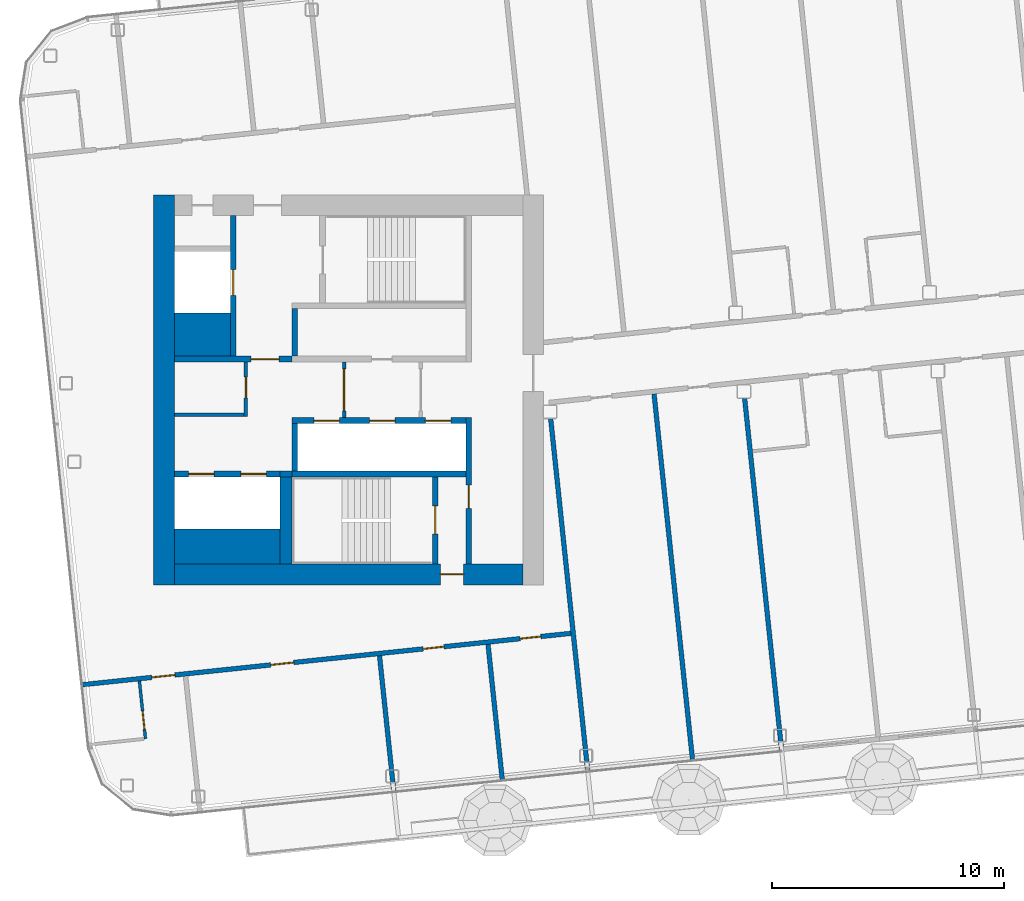
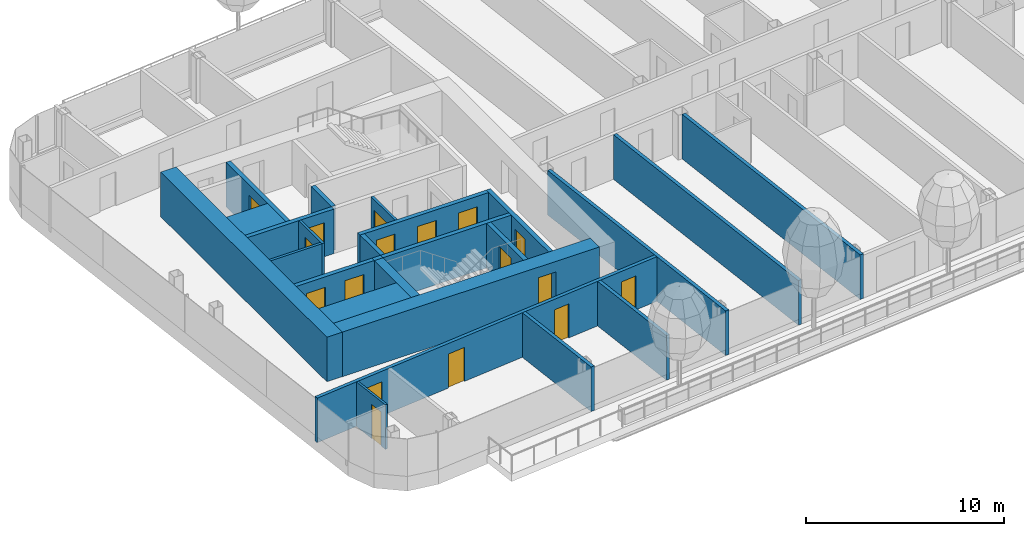
# One storey, part 12 of 29: 25 walls, 17 doors, 17 openings.
"""IFC4 building model written with IfcOpenShell, lengths in metres."""

from ifc_helpers import new_model, si_unit, direction, frame, frame_2d, origin, place, context, subcontext, project, spatial, rectangle, extrude, material, layer, layer_set, type_object, element, fill, save


model = new_model("IFC4")

# Units and contexts
model_context = context("Model", 3, precision=1e-05, world=origin(), true_north=direction((0.0, 1.0)))
body_context = subcontext(model_context, "Body", "Model", "MODEL_VIEW")
ifc_project = project(units=[si_unit("LENGTHUNIT", "METRE"), si_unit("AREAUNIT", "SQUARE_METRE"), si_unit("VOLUMEUNIT", "CUBIC_METRE"), si_unit("PLANEANGLEUNIT", "RADIAN"), si_unit("MASSUNIT", "GRAM", prefix="KILO")], contexts=[model_context])

# Site, building, storey
site_placement = place(None, origin())
site = spatial("IfcSite", under=ifc_project, at=site_placement, CompositionType="ELEMENT")
building_placement = place(site_placement, origin())
building = spatial("IfcBuilding", under=site, at=building_placement, Name="Hakoniwa Tower and Hamabe Station Hall", CompositionType="ELEMENT")
storey_placement = place(building_placement, frame((0.0, 0.0, 258.199951171875)))
storey = spatial("IfcBuildingStorey", under=building, at=storey_placement, Name="L73", CompositionType="ELEMENT", Elevation=258.199951171875)

# Wall, opening, door
ifc_material_1 = material(Name="Gypsum board partition", Category="gypsum")
ifc_layer_1 = layer(ifc_material_1, 0.125)
ifc_layer_set_1 = layer_set([ifc_layer_1], Name="Bathroom Partition 125")
wall_type_1 = type_object("IfcWallType", Name="Bathroom Partition 125", PredefinedType="PARTITIONING", material=ifc_layer_set_1)
wall_1_placement = place(storey_placement, frame((-33.95361328125, -15.029296875, 0.0), z_axis=(0.0, 0.0, 1.0), x_axis=(-0.104588199498, 0.994515615024, 0.0)))
wall_1 = element("IfcWall", 1, at=wall_1_placement, inside=storey, type_object=wall_type_1, Name="GW-L73-017", PredefinedType="PARTITIONING", context=body_context, shape_type="SweptSolid", body=[
    extrude(rectangle(XDim=2.5, YDim=0.125, at=frame_2d((1.25, 0.0))), origin(), (0.0, 0.0, 1.0), 2.75),
])
opening_1_placement = place(wall_1_placement, frame((0.39990234375, 0.0, 0.0)))
opening_1 = element("IfcOpeningElement", 2, at=opening_1_placement, cuts=wall_1, Name="Opening GD-G5C1-29", PredefinedType="OPENING", context=body_context, shape_type="SweptSolid", body=[
    extrude(rectangle(XDim=0.800048828125, YDim=2.10009765625, at=frame_2d((0.39990234375, 1.050048828125))), frame((0.0, 0.072509765625, 0.0), z_axis=(0.0, -1.0, 0.0), x_axis=(1.0, 0.0, 0.0)), (0.0, 0.0, 1.0), 0.14501953125),
])
ifc_material_2 = material(Name="Timber door leaf", Category="wood")
door_type_1 = type_object("IfcDoorType", Name="Bathroom Door 800", OperationType="SINGLE_SWING_LEFT", PredefinedType="DOOR", material=ifc_material_2)
door_1_placement = place(opening_1_placement, origin())
door_1 = element("IfcDoor", 3, at=door_1_placement, inside=storey, type_object=door_type_1, Name="Door GD-G5C1-29", OperationType="SINGLE_SWING_RIGHT", OverallHeight=2.10009765625, OverallWidth=0.800048828125, PredefinedType="DOOR", context=body_context, shape_type="SweptSolid", body=[
    extrude(rectangle(XDim=0.800048828125, YDim=2.10009765625, at=frame_2d((0.39990234375, 1.050048828125))), frame((0.0, 0.02490234375, 0.0), z_axis=(0.0, -1.0, 0.0), x_axis=(1.0, 0.0, 0.0)), (0.0, 0.0, 1.0), 0.050048828125),
])
fill(opening_1, door_1)

ifc_material_3 = material(Name="Gypsum board partition")
ifc_layer_2 = layer(ifc_material_3, 0.14990234375)
ifc_layer_set_2 = layer_set([ifc_layer_2], Name="CORE PARTITION 150 EI 60")
wall_type_2 = type_object("IfcWallType", Name="CORE PARTITION 150 EI 60", PredefinedType="PARTITIONING", material=ifc_layer_set_2)
wall_2_placement = place(storey_placement, frame((-25.39990234375, -1.199951171875, 0.0), z_axis=(0.0, 0.0, 1.0), x_axis=(0.0, 1.0, 0.0)))
wall_2 = element("IfcWall", 4, at=wall_2_placement, inside=storey, type_object=wall_type_2, Name="Core partition PL1 west", PredefinedType="PARTITIONING", context=body_context, shape_type="SweptSolid", body=[
    extrude(rectangle(XDim=2.39990234375, YDim=0.14990234375, at=frame_2d((1.199951171875, 0.0))), origin(), (0.0, 0.0, 1.0), 2.75),
])
opening_2_placement = place(wall_2_placement, frame((0.300048828125, 0.0, 0.0)))
opening_2 = element("IfcOpeningElement", 5, at=opening_2_placement, cuts=wall_2, Name="Opening CD-W-LP1-18", PredefinedType="OPENING", context=body_context, shape_type="SweptSolid", body=[
    extrude(rectangle(XDim=1.800048828125, YDim=2.10009765625, at=frame_2d((0.89990234375, 1.050048828125))), frame((0.0, 0.0849609375, 0.0), z_axis=(0.0, -1.0, 0.0), x_axis=(1.0, 0.0, 0.0)), (0.0, 0.0, 1.0), 0.169921875),
])
ifc_material_4 = material(Name="Steel fire door", Category="steel")
door_type_2 = type_object("IfcDoorType", Name="CORE DOOR 1800 FD60", OperationType="DOUBLE_DOOR_SINGLE_SWING", PredefinedType="DOOR", material=ifc_material_4)
door_2_placement = place(opening_2_placement, origin())
door_2 = element("IfcDoor", 6, at=door_2_placement, inside=storey, type_object=door_type_2, Name="Lift lobby partition door", OperationType="DOUBLE_DOOR_SINGLE_SWING", OverallHeight=2.10009765625, OverallWidth=1.800048828125, PredefinedType="DOOR", context=body_context, shape_type="SweptSolid", body=[
    extrude(rectangle(XDim=1.800048828125, YDim=2.10009765625, at=frame_2d((0.89990234375, 1.050048828125))), frame((0.0, 0.02490234375, 0.0), z_axis=(0.0, -1.0, 0.0), x_axis=(1.0, 0.0, 0.0)), (0.0, 0.0, 1.0), 0.050048828125),
])
fill(opening_2, door_2)

wall_3_placement = place(storey_placement, frame((-29.625, -1.14990234375, 0.0), z_axis=(0.0, 0.0, 1.0), x_axis=(0.0, 1.0, 0.0)))
wall_3 = element("IfcWall", 7, at=wall_3_placement, inside=storey, type_object=wall_type_2, Name="Core partition PW0 west", PredefinedType="PARTITIONING", context=body_context, shape_type="SweptSolid", body=[
    extrude(rectangle(XDim=2.349853515625, YDim=0.14990234375, at=frame_2d((1.1748046875, 0.0))), origin(), (0.0, 0.0, 1.0), 2.75),
])
opening_3_placement = place(wall_3_placement, frame((0.800048828125, 0.0, 0.0)))
opening_3 = element("IfcOpeningElement", 8, at=opening_3_placement, cuts=wall_3, Name="Opening CD-W-RM1-9", PredefinedType="OPENING", context=body_context, shape_type="SweptSolid", body=[
    extrude(rectangle(XDim=0.89990234375, YDim=2.10009765625, at=frame_2d((0.449951171875, 1.050048828125))), frame((0.0, 0.0849609375, 0.0), z_axis=(0.0, -1.0, 0.0), x_axis=(1.0, 0.0, 0.0)), (0.0, 0.0, 1.0), 0.169921875),
])
ifc_material_5 = material(Name="Steel fire door", Category="steel")
door_type_3 = type_object("IfcDoorType", Name="CORE DOOR 900 FD30", OperationType="NOTDEFINED", PredefinedType="DOOR", material=ifc_material_5)
door_3_placement = place(opening_3_placement, origin())
door_3 = element("IfcDoor", 9, at=door_3_placement, inside=storey, type_object=door_type_3, Name="Store room door", OperationType="SINGLE_SWING_LEFT", OverallHeight=2.10009765625, OverallWidth=0.89990234375, PredefinedType="DOOR", context=body_context, shape_type="SweptSolid", body=[
    extrude(rectangle(XDim=0.89990234375, YDim=2.10009765625, at=frame_2d((0.449951171875, 1.050048828125))), frame((0.0, 0.02490234375, 0.0), z_axis=(0.0, -1.0, 0.0), x_axis=(1.0, 0.0, 0.0)), (0.0, 0.0, 1.0), 0.050048828125),
])
fill(opening_3, door_3)

# Walls
wall_4_placement = place(storey_placement, frame((-32.699951171875, -1.074951171875, 0.0), z_axis=(0.0, 0.0, 1.0), x_axis=(1.0, 0.0, 0.0)))
element("IfcWall", 10, at=wall_4_placement, inside=storey, type_object=wall_type_2, Name="Core partition PS west", PredefinedType="PARTITIONING", context=body_context, shape_type="SweptSolid", body=[
    extrude(rectangle(XDim=3.0, YDim=0.14990234375, at=frame_2d((1.5, 0.0))), origin(), (0.0, 0.0, 1.0), 2.75),
])
ifc_material_6 = material(Name="Concrete C60", Category="concrete")
ifc_layer_3 = layer(ifc_material_6, 0.89990234375)
ifc_layer_set_3 = layer_set([ifc_layer_3], Name="CORE WALL 900 C60")
wall_type_3 = type_object("IfcWallType", Name="CORE WALL 900 C60", PredefinedType="SHEAR", material=ifc_layer_set_3)
wall_5_placement = place(storey_placement, frame((-33.14990234375, -8.39990234375, 0.0), z_axis=(0.0, 0.0, 1.0), x_axis=(0.0, 1.0, 0.0)))
element("IfcWall", 11, at=wall_5_placement, inside=storey, type_object=wall_type_3, Name="Core wall OUTER west", PredefinedType="SHEAR", context=body_context, shape_type="SweptSolid", body=[
    extrude(rectangle(XDim=16.7998046875, YDim=0.89990234375, at=frame_2d((8.39990234375, 0.0))), origin(), (0.0, 0.0, 1.0), 2.75),
])

# Wall, opening, door
wall_6_placement = place(storey_placement, frame((-32.699951171875, -7.949951171875, 0.0), z_axis=(0.0, 0.0, 1.0), x_axis=(1.0, 0.0, 0.0)))
wall_6 = element("IfcWall", 12, at=wall_6_placement, inside=storey, type_object=wall_type_3, Name="Core wall SOUTH west", PredefinedType="SHEAR", context=body_context, shape_type="SweptSolid", body=[
    extrude(rectangle(XDim=15.0, YDim=0.89990234375, at=frame_2d((7.5, 0.0))), origin(), (0.0, 0.0, 1.0), 2.75),
])
opening_4_placement = place(wall_6_placement, frame((11.449951171875, 0.0, 0.0)))
opening_4 = element("IfcOpeningElement", 13, at=opening_4_placement, cuts=wall_6, Name="Opening CD-W-FS3-10", PredefinedType="OPENING", context=body_context, shape_type="SweptSolid", body=[
    extrude(rectangle(XDim=1.0, YDim=2.10009765625, at=frame_2d((0.5, 1.050048828125))), frame((0.0, 0.4599609375, 0.0), z_axis=(0.0, -1.0, 0.0), x_axis=(1.0, 0.0, 0.0)), (0.0, 0.0, 1.0), 0.919921875),
])
ifc_material_7 = material(Name="Steel fire door", Category="steel")
door_type_4 = type_object("IfcDoorType", Name="CORE DOOR 1000 FD60", OperationType="NOTDEFINED", PredefinedType="DOOR", material=ifc_material_7)
door_4_placement = place(opening_4_placement, origin())
door_4 = element("IfcDoor", 14, at=door_4_placement, inside=storey, type_object=door_type_4, Name="Stair vestibule door", OperationType="SINGLE_SWING_LEFT", OverallHeight=2.10009765625, OverallWidth=1.0, PredefinedType="DOOR", context=body_context, shape_type="SweptSolid", body=[
    extrude(rectangle(XDim=1.0, YDim=2.10009765625, at=frame_2d((0.5, 1.050048828125))), frame((0.0, 0.02490234375, 0.0), z_axis=(0.0, -1.0, 0.0), x_axis=(1.0, 0.0, 0.0)), (0.0, 0.0, 1.0), 0.050048828125),
])
fill(opening_4, door_4)

# Walls
ifc_material_8 = material(Name="Concrete C60", Category="concrete")
ifc_layer_4 = layer(ifc_material_8, 1.5)
ifc_layer_set_4 = layer_set([ifc_layer_4], Name="CORE WEB WALL 1500 C60")
wall_type_4 = type_object("IfcWallType", Name="CORE WEB WALL 1500 C60", PredefinedType="SHEAR", material=ifc_layer_set_4)
wall_7_placement = place(storey_placement, frame((-32.699951171875, -6.75, 0.0), z_axis=(0.0, 0.0, 1.0), x_axis=(1.0, 0.0, 0.0)))
element("IfcWall", 15, at=wall_7_placement, inside=storey, type_object=wall_type_4, Name="Core wall SER west", PredefinedType="SHEAR", context=body_context, shape_type="SweptSolid", body=[
    extrude(rectangle(XDim=4.550048828125, YDim=1.5, at=frame_2d((2.27490234375, 0.0))), origin(), (0.0, 0.0, 1.0), 2.75),
])
ifc_material_9 = material(Name="Concrete C60", Category="concrete")
ifc_layer_5 = layer(ifc_material_9, 1.85009765625)
ifc_layer_set_5 = layer_set([ifc_layer_5], Name="CORE WEB WALL 1850 C60")
wall_type_5 = type_object("IfcWallType", Name="CORE WEB WALL 1850 C60", PredefinedType="SHEAR", material=ifc_layer_set_5)
wall_8_placement = place(storey_placement, frame((-32.699951171875, 2.375, 0.0), z_axis=(0.0, 0.0, 1.0), x_axis=(1.0, 0.0, 0.0)))
element("IfcWall", 16, at=wall_8_placement, inside=storey, type_object=wall_type_5, Name="Core wall CA west", PredefinedType="SHEAR", context=body_context, shape_type="SweptSolid", body=[
    extrude(rectangle(XDim=2.39990234375, YDim=1.85009765625, at=frame_2d((1.199951171875, 0.0))), origin(), (0.0, 0.0, 1.0), 2.75),
])

# Wall, opening, door
ifc_material_10 = material(Name="Concrete C60", Category="concrete")
ifc_layer_6 = layer(ifc_material_10, 0.25)
ifc_layer_set_6 = layer_set([ifc_layer_6], Name="CORE WEB WALL 250 C60")
wall_type_6 = type_object("IfcWallType", Name="CORE WEB WALL 250 C60", PredefinedType="SHEAR", material=ifc_layer_set_6)
wall_9_placement = place(storey_placement, frame((-20.02490234375, -7.5, 0.0), z_axis=(0.0, 0.0, 1.0), x_axis=(0.0, 1.0, 0.0)))
wall_9 = element("IfcWall", 17, at=wall_9_placement, inside=storey, type_object=wall_type_6, Name="Core wall W1S west", PredefinedType="SHEAR", context=body_context, shape_type="SweptSolid", body=[
    extrude(rectangle(XDim=6.300048828125, YDim=0.25, at=frame_2d((3.14990234375, 0.0))), origin(), (0.0, 0.0, 1.0), 2.75),
])
opening_5_placement = place(wall_9_placement, frame((2.39990234375, 0.0, 0.0)))
opening_5 = element("IfcOpeningElement", 18, at=opening_5_placement, cuts=wall_9, Name="Opening CD-W-VS-10", PredefinedType="OPENING", context=body_context, shape_type="SweptSolid", body=[
    extrude(rectangle(XDim=1.0, YDim=2.10009765625, at=frame_2d((0.5, 1.050048828125))), frame((0.0, 0.135009765625, 0.0), z_axis=(0.0, -1.0, 0.0), x_axis=(1.0, 0.0, 0.0)), (0.0, 0.0, 1.0), 0.27001953125),
])
door_5_placement = place(opening_5_placement, origin())
door_5 = element("IfcDoor", 19, at=door_5_placement, inside=storey, type_object=door_type_4, Name="Stair vestibule door", OperationType="SINGLE_SWING_LEFT", OverallHeight=2.10009765625, OverallWidth=1.0, PredefinedType="DOOR", context=body_context, shape_type="SweptSolid", body=[
    extrude(rectangle(XDim=1.0, YDim=2.10009765625, at=frame_2d((0.5, 1.050048828125))), frame((0.0, 0.02490234375, 0.0), z_axis=(0.0, -1.0, 0.0), x_axis=(1.0, 0.0, 0.0)), (0.0, 0.0, 1.0), 0.050048828125),
])
fill(opening_5, door_5)

# Wall
wall_10_placement = place(storey_placement, frame((-27.52490234375, 1.449951171875, 0.0), z_axis=(0.0, 0.0, 1.0), x_axis=(0.0, 1.0, 0.0)))
element("IfcWall", 20, at=wall_10_placement, inside=storey, type_object=wall_type_6, Name="Core wall NE west", PredefinedType="SHEAR", context=body_context, shape_type="SweptSolid", body=[
    extrude(rectangle(XDim=2.050048828125, YDim=0.25, at=frame_2d((1.02490234375, 0.0))), origin(), (0.0, 0.0, 1.0), 2.75),
])

# Wall, opening, door
wall_11_placement = place(storey_placement, frame((-32.699951171875, 1.324951171875, 0.0), z_axis=(0.0, 0.0, 1.0), x_axis=(1.0, 0.0, 0.0)))
wall_11 = element("IfcWall", 21, at=wall_11_placement, inside=storey, type_object=wall_type_6, Name="Core wall ELN west", PredefinedType="SHEAR", context=body_context, shape_type="SweptSolid", body=[
    extrude(rectangle(XDim=5.050048828125, YDim=0.25, at=frame_2d((2.52490234375, 0.0))), origin(), (0.0, 0.0, 1.0), 2.75),
])
opening_6_placement = place(wall_11_placement, frame((3.300048828125, 0.0, 0.0)))
opening_6 = element("IfcOpeningElement", 22, at=opening_6_placement, cuts=wall_11, Name="Opening CD-W-FL-12", PredefinedType="OPENING", context=body_context, shape_type="SweptSolid", body=[
    extrude(rectangle(XDim=1.199951171875, YDim=2.10009765625, at=frame_2d((0.60009765625, 1.050048828125))), frame((0.0, 0.135009765625, 0.0), z_axis=(0.0, -1.0, 0.0), x_axis=(1.0, 0.0, 0.0)), (0.0, 0.0, 1.0), 0.27001953125),
])
ifc_material_11 = material(Name="Steel fire door", Category="steel")
door_type_5 = type_object("IfcDoorType", Name="CORE DOOR 1200 FD60", OperationType="DOUBLE_DOOR_SINGLE_SWING", PredefinedType="DOOR", material=ifc_material_11)
door_6_placement = place(opening_6_placement, origin())
door_6 = element("IfcDoor", 23, at=door_6_placement, inside=storey, type_object=door_type_5, Name="Stair vestibule door to the fire-fighting lobby", OperationType="DOUBLE_DOOR_SINGLE_SWING", OverallHeight=2.10009765625, OverallWidth=1.199951171875, PredefinedType="DOOR", context=body_context, shape_type="SweptSolid", body=[
    extrude(rectangle(XDim=1.199951171875, YDim=2.10009765625, at=frame_2d((0.60009765625, 1.050048828125))), frame((0.0, 0.02490234375, 0.0), z_axis=(0.0, -1.0, 0.0), x_axis=(1.0, 0.0, 0.0)), (0.0, 0.0, 1.0), 0.050048828125),
])
fill(opening_6, door_6)

wall_12_placement = place(storey_placement, frame((-30.175048828125, 1.449951171875, 0.0), z_axis=(0.0, 0.0, 1.0), x_axis=(0.0, 1.0, 0.0)))
wall_12 = element("IfcWall", 24, at=wall_12_placement, inside=storey, type_object=wall_type_6, Name="Core wall FFF west", PredefinedType="SHEAR", context=body_context, shape_type="SweptSolid", body=[
    extrude(rectangle(XDim=6.050048828125, YDim=0.25, at=frame_2d((3.02490234375, 0.0))), origin(), (0.0, 0.0, 1.0), 2.75),
])
opening_7_placement = place(wall_12_placement, frame((2.625, 0.0, 0.0)))
opening_7 = element("IfcOpeningElement", 25, at=opening_7_placement, cuts=wall_12, Name="Opening LD-FF1", PredefinedType="OPENING", context=body_context, shape_type="SweptSolid", body=[
    extrude(rectangle(XDim=1.10009765625, YDim=2.10009765625, at=frame_2d((0.550048828125, 1.050048828125))), frame((0.0, 0.135009765625, 0.0), z_axis=(0.0, -1.0, 0.0), x_axis=(1.0, 0.0, 0.0)), (0.0, 0.0, 1.0), 0.27001953125),
])
ifc_material_12 = material(Name="Stainless steel SUS304", Category="steel")
door_type_6 = type_object("IfcDoorType", Name="LIFT LANDING DOOR 1100 FD60", OperationType="DOUBLE_DOOR_SLIDING", PredefinedType="DOOR", material=ifc_material_12)
door_7_placement = place(opening_7_placement, origin())
door_7 = element("IfcDoor", 26, at=door_7_placement, inside=storey, type_object=door_type_6, Name="Lift landing door FF1 L73", OperationType="DOUBLE_DOOR_SLIDING", OverallHeight=2.10009765625, OverallWidth=1.10009765625, PredefinedType="DOOR", context=body_context, shape_type="SweptSolid", body=[
    extrude(rectangle(XDim=1.10009765625, YDim=2.10009765625, at=frame_2d((0.550048828125, 1.050048828125))), frame((0.0, 0.02490234375, 0.0), z_axis=(0.0, -1.0, 0.0), x_axis=(1.0, 0.0, 0.0)), (0.0, 0.0, 1.0), 0.050048828125),
])
fill(opening_7, door_7)

# Wall, openings, doors
wall_13_placement = place(storey_placement, frame((-27.64990234375, -1.324951171875, 0.0), z_axis=(0.0, 0.0, 1.0), x_axis=(1.0, 0.0, 0.0)))
wall_13 = element("IfcWall", 27, at=wall_13_placement, inside=storey, type_object=wall_type_6, Name="Core wall SF west", PredefinedType="SHEAR", context=body_context, shape_type="SweptSolid", body=[
    extrude(rectangle(XDim=7.5, YDim=0.25, at=frame_2d((3.75, 0.0))), origin(), (0.0, 0.0, 1.0), 2.75),
])
opening_8_placement = place(wall_13_placement, frame((5.75, 0.0, 0.0)))
opening_8 = element("IfcOpeningElement", 28, at=opening_8_placement, cuts=wall_13, Name="Opening LD-HR1", PredefinedType="OPENING", context=body_context, shape_type="SweptSolid", body=[
    extrude(rectangle(XDim=1.10009765625, YDim=2.10009765625, at=frame_2d((0.550048828125, 1.050048828125))), frame((0.0, 0.135009765625, 0.0), z_axis=(0.0, -1.0, 0.0), x_axis=(1.0, 0.0, 0.0)), (0.0, 0.0, 1.0), 0.27001953125),
])
opening_9_placement = place(wall_13_placement, frame((3.35009765625, 0.0, 0.0)))
opening_9 = element("IfcOpeningElement", 29, at=opening_9_placement, cuts=wall_13, Name="Opening LD-HR2", PredefinedType="OPENING", context=body_context, shape_type="SweptSolid", body=[
    extrude(rectangle(XDim=1.10009765625, YDim=2.10009765625, at=frame_2d((0.550048828125, 1.050048828125))), frame((0.0, 0.135009765625, 0.0), z_axis=(0.0, -1.0, 0.0), x_axis=(1.0, 0.0, 0.0)), (0.0, 0.0, 1.0), 0.27001953125),
])
opening_10_placement = place(wall_13_placement, frame((0.949951171875, 0.0, 0.0)))
opening_10 = element("IfcOpeningElement", 30, at=opening_10_placement, cuts=wall_13, Name="Opening LD-HR3", PredefinedType="OPENING", context=body_context, shape_type="SweptSolid", body=[
    extrude(rectangle(XDim=1.10009765625, YDim=2.10009765625, at=frame_2d((0.550048828125, 1.050048828125))), frame((0.0, 0.135009765625, 0.0), z_axis=(0.0, -1.0, 0.0), x_axis=(1.0, 0.0, 0.0)), (0.0, 0.0, 1.0), 0.27001953125),
])
door_8_placement = place(opening_8_placement, origin())
door_8 = element("IfcDoor", 31, at=door_8_placement, inside=storey, type_object=door_type_6, Name="Lift landing door HR1 L73", OperationType="DOUBLE_DOOR_SLIDING", OverallHeight=2.10009765625, OverallWidth=1.10009765625, PredefinedType="DOOR", context=body_context, shape_type="SweptSolid", body=[
    extrude(rectangle(XDim=1.10009765625, YDim=2.10009765625, at=frame_2d((0.550048828125, 1.050048828125))), frame((0.0, 0.02490234375, 0.0), z_axis=(0.0, -1.0, 0.0), x_axis=(1.0, 0.0, 0.0)), (0.0, 0.0, 1.0), 0.050048828125),
])
fill(opening_8, door_8)
door_9_placement = place(opening_9_placement, origin())
door_9 = element("IfcDoor", 32, at=door_9_placement, inside=storey, type_object=door_type_6, Name="Lift landing door HR2 L73", OperationType="DOUBLE_DOOR_SLIDING", OverallHeight=2.10009765625, OverallWidth=1.10009765625, PredefinedType="DOOR", context=body_context, shape_type="SweptSolid", body=[
    extrude(rectangle(XDim=1.10009765625, YDim=2.10009765625, at=frame_2d((0.550048828125, 1.050048828125))), frame((0.0, 0.02490234375, 0.0), z_axis=(0.0, -1.0, 0.0), x_axis=(1.0, 0.0, 0.0)), (0.0, 0.0, 1.0), 0.050048828125),
])
fill(opening_9, door_9)
door_10_placement = place(opening_10_placement, origin())
door_10 = element("IfcDoor", 33, at=door_10_placement, inside=storey, type_object=door_type_6, Name="Lift landing door HR3 L73", OperationType="DOUBLE_DOOR_SLIDING", OverallHeight=2.10009765625, OverallWidth=1.10009765625, PredefinedType="DOOR", context=body_context, shape_type="SweptSolid", body=[
    extrude(rectangle(XDim=1.10009765625, YDim=2.10009765625, at=frame_2d((0.550048828125, 1.050048828125))), frame((0.0, 0.02490234375, 0.0), z_axis=(0.0, -1.0, 0.0), x_axis=(1.0, 0.0, 0.0)), (0.0, 0.0, 1.0), 0.050048828125),
])
fill(opening_10, door_10)

# Walls
wall_14_placement = place(storey_placement, frame((-27.52490234375, -3.5, 0.0), z_axis=(0.0, 0.0, 1.0), x_axis=(0.0, 1.0, 0.0)))
element("IfcWall", 34, at=wall_14_placement, inside=storey, type_object=wall_type_6, Name="Core wall SE west", PredefinedType="SHEAR", context=body_context, shape_type="SweptSolid", body=[
    extrude(rectangle(XDim=2.050048828125, YDim=0.25, at=frame_2d((1.02490234375, 0.0))), origin(), (0.0, 0.0, 1.0), 2.75),
])
wall_15_placement = place(storey_placement, frame((-27.64990234375, -3.625, 0.0), z_axis=(0.0, 0.0, 1.0), x_axis=(1.0, 0.0, 0.0)))
element("IfcWall", 35, at=wall_15_placement, inside=storey, type_object=wall_type_6, Name="Core wall SR west", PredefinedType="SHEAR", context=body_context, shape_type="SweptSolid", body=[
    extrude(rectangle(XDim=7.5, YDim=0.25, at=frame_2d((3.75, 0.0))), origin(), (0.0, 0.0, 1.0), 2.75),
])

# Wall, opening, door
wall_16_placement = place(storey_placement, frame((-21.47509765625, -7.5, 0.0), z_axis=(0.0, 0.0, 1.0), x_axis=(0.0, 1.0, 0.0)))
wall_16 = element("IfcWall", 36, at=wall_16_placement, inside=storey, type_object=wall_type_6, Name="Core wall VE west", PredefinedType="SHEAR", context=body_context, shape_type="SweptSolid", body=[
    extrude(rectangle(XDim=3.75, YDim=0.25, at=frame_2d((1.875, 0.0))), origin(), (0.0, 0.0, 1.0), 2.75),
])
opening_11_placement = place(wall_16_placement, frame((1.300048828125, 0.0, 0.0)))
opening_11 = element("IfcOpeningElement", 37, at=opening_11_placement, cuts=wall_16, Name="Opening CD-W-SS-12", PredefinedType="OPENING", context=body_context, shape_type="SweptSolid", body=[
    extrude(rectangle(XDim=1.199951171875, YDim=2.10009765625, at=frame_2d((0.60009765625, 1.050048828125))), frame((0.0, 0.135009765625, 0.0), z_axis=(0.0, -1.0, 0.0), x_axis=(1.0, 0.0, 0.0)), (0.0, 0.0, 1.0), 0.27001953125),
])
door_11_placement = place(opening_11_placement, origin())
door_11 = element("IfcDoor", 38, at=door_11_placement, inside=storey, type_object=door_type_5, Name="Escape stair door", OperationType="DOUBLE_DOOR_SINGLE_SWING", OverallHeight=2.10009765625, OverallWidth=1.199951171875, PredefinedType="DOOR", context=body_context, shape_type="SweptSolid", body=[
    extrude(rectangle(XDim=1.199951171875, YDim=2.10009765625, at=frame_2d((0.60009765625, 1.050048828125))), frame((0.0, 0.02490234375, 0.0), z_axis=(0.0, -1.0, 0.0), x_axis=(1.0, 0.0, 0.0)), (0.0, 0.0, 1.0), 0.050048828125),
])
fill(opening_11, door_11)

# Wall, openings, doors
wall_17_placement = place(storey_placement, frame((-32.699951171875, -3.625, 0.0), z_axis=(0.0, 0.0, 1.0), x_axis=(1.0, 0.0, 0.0)))
wall_17 = element("IfcWall", 39, at=wall_17_placement, inside=storey, type_object=wall_type_6, Name="Core wall SEF west", PredefinedType="SHEAR", context=body_context, shape_type="SweptSolid", body=[
    extrude(rectangle(XDim=4.550048828125, YDim=0.25, at=frame_2d((2.27490234375, 0.0))), origin(), (0.0, 0.0, 1.0), 2.75),
])
opening_12_placement = place(wall_17_placement, frame((2.85009765625, 0.0, 0.0)))
opening_12 = element("IfcOpeningElement", 40, at=opening_12_placement, cuts=wall_17, Name="Opening LD-SV1", PredefinedType="OPENING", context=body_context, shape_type="SweptSolid", body=[
    extrude(rectangle(XDim=1.10009765625, YDim=2.10009765625, at=frame_2d((0.550048828125, 1.050048828125))), frame((0.0, 0.135009765625, 0.0), z_axis=(0.0, -1.0, 0.0), x_axis=(1.0, 0.0, 0.0)), (0.0, 0.0, 1.0), 0.27001953125),
])
opening_13_placement = place(wall_17_placement, frame((0.60009765625, 0.0, 0.0)))
opening_13 = element("IfcOpeningElement", 41, at=opening_13_placement, cuts=wall_17, Name="Opening LD-SV2", PredefinedType="OPENING", context=body_context, shape_type="SweptSolid", body=[
    extrude(rectangle(XDim=1.10009765625, YDim=2.10009765625, at=frame_2d((0.550048828125, 1.050048828125))), frame((0.0, 0.135009765625, 0.0), z_axis=(0.0, -1.0, 0.0), x_axis=(1.0, 0.0, 0.0)), (0.0, 0.0, 1.0), 0.27001953125),
])
door_12_placement = place(opening_12_placement, origin())
door_12 = element("IfcDoor", 42, at=door_12_placement, inside=storey, type_object=door_type_6, Name="Lift landing door SV1 L73", OperationType="DOUBLE_DOOR_SLIDING", OverallHeight=2.10009765625, OverallWidth=1.10009765625, PredefinedType="DOOR", context=body_context, shape_type="SweptSolid", body=[
    extrude(rectangle(XDim=1.10009765625, YDim=2.10009765625, at=frame_2d((0.550048828125, 1.050048828125))), frame((0.0, 0.02490234375, 0.0), z_axis=(0.0, -1.0, 0.0), x_axis=(1.0, 0.0, 0.0)), (0.0, 0.0, 1.0), 0.050048828125),
])
fill(opening_12, door_12)
door_13_placement = place(opening_13_placement, origin())
door_13 = element("IfcDoor", 43, at=door_13_placement, inside=storey, type_object=door_type_6, Name="Lift landing door SV2 L73", OperationType="DOUBLE_DOOR_SLIDING", OverallHeight=2.10009765625, OverallWidth=1.10009765625, PredefinedType="DOOR", context=body_context, shape_type="SweptSolid", body=[
    extrude(rectangle(XDim=1.10009765625, YDim=2.10009765625, at=frame_2d((0.550048828125, 1.050048828125))), frame((0.0, 0.02490234375, 0.0), z_axis=(0.0, -1.0, 0.0), x_axis=(1.0, 0.0, 0.0)), (0.0, 0.0, 1.0), 0.050048828125),
])
fill(opening_13, door_13)

# Walls
wall_18_placement = place(storey_placement, frame((-28.14990234375, -3.625, 0.0), z_axis=(0.0, 0.0, 1.0), x_axis=(1.0, 0.0, 0.0)))
element("IfcWall", 44, at=wall_18_placement, inside=storey, type_object=wall_type_6, Name="Core wall SRK west", PredefinedType="SHEAR", context=body_context, shape_type="SweptSolid", body=[
    extrude(rectangle(XDim=0.5, YDim=0.25, at=frame_2d((0.25, 0.0))), origin(), (0.0, 0.0, 1.0), 2.75),
])
ifc_material_13 = material(Name="Concrete C60", Category="concrete")
ifc_layer_7 = layer(ifc_material_13, 0.5)
ifc_layer_set_7 = layer_set([ifc_layer_7], Name="CORE WEB WALL 500 C60")
wall_type_7 = type_object("IfcWallType", Name="CORE WEB WALL 500 C60", PredefinedType="SHEAR", material=ifc_layer_set_7)
wall_19_placement = place(storey_placement, frame((-27.89990234375, -7.5, 0.0), z_axis=(0.0, 0.0, 1.0), x_axis=(0.0, 1.0, 0.0)))
element("IfcWall", 45, at=wall_19_placement, inside=storey, type_object=wall_type_7, Name="Core wall SSE west", PredefinedType="SHEAR", context=body_context, shape_type="SweptSolid", body=[
    extrude(rectangle(XDim=3.75, YDim=0.5, at=frame_2d((1.875, 0.0))), origin(), (0.0, 0.0, 1.0), 2.75),
])

# Wall, openings, doors
ifc_material_14 = material(Name="Fire-rated gypsum board partition", Category="gypsum")
ifc_layer_8 = layer(ifc_material_14, 0.199951171875)
ifc_layer_set_8 = layer_set([ifc_layer_8], Name="Corridor Wall 200")
wall_type_8 = type_object("IfcWallType", Name="Corridor Wall 200", PredefinedType="PARTITIONING", material=ifc_layer_set_8)
wall_20_placement = place(storey_placement, frame((-36.711669921875, -12.704833984375, 0.0), z_axis=(0.0, 0.0, 1.0), x_axis=(0.994522460242, 0.104523088709, 0.0)))
wall_20 = element("IfcWall", 46, at=wall_20_placement, inside=storey, type_object=wall_type_8, Name="GW-L73-003", PredefinedType="PARTITIONING", context=body_context, shape_type="SweptSolid", body=[
    extrude(rectangle(XDim=21.2998046875, YDim=0.199951171875, at=frame_2d((10.64990234375, 0.0))), origin(), (0.0, 0.0, 1.0), 2.75),
])
opening_14_placement = place(wall_20_placement, frame((3.050048828125, 0.0, 0.0)))
opening_14 = element("IfcOpeningElement", 47, at=opening_14_placement, cuts=wall_20, Name="Opening GD-G5C1-01", PredefinedType="OPENING", context=body_context, shape_type="SweptSolid", body=[
    extrude(rectangle(XDim=1.0, YDim=2.10009765625, at=frame_2d((0.5, 1.050048828125))), frame((0.0, 0.10986328125, 0.0), z_axis=(0.0, -1.0, 0.0), x_axis=(1.0, 0.0, 0.0)), (0.0, 0.0, 1.0), 0.219970703125),
])
opening_15_placement = place(wall_20_placement, frame((8.199951171875, 0.0, 0.0)))
opening_15 = element("IfcOpeningElement", 48, at=opening_15_placement, cuts=wall_20, Name="Opening GD-G5C1-02", PredefinedType="OPENING", context=body_context, shape_type="SweptSolid", body=[
    extrude(rectangle(XDim=1.0, YDim=2.10009765625, at=frame_2d((0.5, 1.050048828125))), frame((0.0, 0.10986328125, 0.0), z_axis=(0.0, -1.0, 0.0), x_axis=(1.0, 0.0, 0.0)), (0.0, 0.0, 1.0), 0.219970703125),
])
opening_16_placement = place(wall_20_placement, frame((14.800048828125, 0.0, 0.0)))
opening_16 = element("IfcOpeningElement", 49, at=opening_16_placement, cuts=wall_20, Name="Opening GD-G5C1-03", PredefinedType="OPENING", context=body_context, shape_type="SweptSolid", body=[
    extrude(rectangle(XDim=0.89990234375, YDim=2.10009765625, at=frame_2d((0.449951171875, 1.050048828125))), frame((0.0, 0.10986328125, 0.0), z_axis=(0.0, -1.0, 0.0), x_axis=(1.0, 0.0, 0.0)), (0.0, 0.0, 1.0), 0.219970703125),
])
opening_17_placement = place(wall_20_placement, frame((19.0, 0.0, 0.0)))
opening_17 = element("IfcOpeningElement", 50, at=opening_17_placement, cuts=wall_20, Name="Opening GD-G5C1-04", PredefinedType="OPENING", context=body_context, shape_type="SweptSolid", body=[
    extrude(rectangle(XDim=0.89990234375, YDim=2.10009765625, at=frame_2d((0.449951171875, 1.050048828125))), frame((0.0, 0.10986328125, 0.0), z_axis=(0.0, -1.0, 0.0), x_axis=(1.0, 0.0, 0.0)), (0.0, 0.0, 1.0), 0.219970703125),
])
ifc_material_15 = material(Name="Timber door leaf", Category="wood")
door_type_7 = type_object("IfcDoorType", Name="Guest Entrance Door 1000", OperationType="SINGLE_SWING_LEFT", PredefinedType="DOOR", material=ifc_material_15)
door_14_placement = place(opening_14_placement, origin())
door_14 = element("IfcDoor", 51, at=door_14_placement, inside=storey, type_object=door_type_7, Name="Door GD-G5C1-01", OperationType="SINGLE_SWING_RIGHT", OverallHeight=2.10009765625, OverallWidth=1.0, PredefinedType="DOOR", context=body_context, shape_type="SweptSolid", body=[
    extrude(rectangle(XDim=1.0, YDim=2.10009765625, at=frame_2d((0.5, 1.050048828125))), frame((0.0, 0.02490234375, 0.0), z_axis=(0.0, -1.0, 0.0), x_axis=(1.0, 0.0, 0.0)), (0.0, 0.0, 1.0), 0.050048828125),
])
fill(opening_14, door_14)
door_15_placement = place(opening_15_placement, origin())
door_15 = element("IfcDoor", 52, at=door_15_placement, inside=storey, type_object=door_type_7, Name="Door GD-G5C1-02", OperationType="SINGLE_SWING_LEFT", OverallHeight=2.10009765625, OverallWidth=1.0, PredefinedType="DOOR", context=body_context, shape_type="SweptSolid", body=[
    extrude(rectangle(XDim=1.0, YDim=2.10009765625, at=frame_2d((0.5, 1.050048828125))), frame((0.0, 0.02490234375, 0.0), z_axis=(0.0, -1.0, 0.0), x_axis=(1.0, 0.0, 0.0)), (0.0, 0.0, 1.0), 0.050048828125),
])
fill(opening_15, door_15)
ifc_material_16 = material(Name="Timber door leaf", Category="wood")
door_type_8 = type_object("IfcDoorType", Name="Service Door 900", OperationType="SINGLE_SWING_LEFT", PredefinedType="DOOR", material=ifc_material_16)
door_16_placement = place(opening_16_placement, origin())
door_16 = element("IfcDoor", 53, at=door_16_placement, inside=storey, type_object=door_type_8, Name="Door GD-G5C1-03", OperationType="SINGLE_SWING_RIGHT", OverallHeight=2.10009765625, OverallWidth=0.89990234375, PredefinedType="DOOR", context=body_context, shape_type="SweptSolid", body=[
    extrude(rectangle(XDim=0.89990234375, YDim=2.10009765625, at=frame_2d((0.449951171875, 1.050048828125))), frame((0.0, 0.02490234375, 0.0), z_axis=(0.0, -1.0, 0.0), x_axis=(1.0, 0.0, 0.0)), (0.0, 0.0, 1.0), 0.050048828125),
])
fill(opening_16, door_16)
door_17_placement = place(opening_17_placement, origin())
door_17 = element("IfcDoor", 54, at=door_17_placement, inside=storey, type_object=door_type_8, Name="Door GD-G5C1-04", OperationType="SINGLE_SWING_LEFT", OverallHeight=2.10009765625, OverallWidth=0.89990234375, PredefinedType="DOOR", context=body_context, shape_type="SweptSolid", body=[
    extrude(rectangle(XDim=0.89990234375, YDim=2.10009765625, at=frame_2d((0.449951171875, 1.050048828125))), frame((0.0, 0.02490234375, 0.0), z_axis=(0.0, -1.0, 0.0), x_axis=(1.0, 0.0, 0.0)), (0.0, 0.0, 1.0), 0.050048828125),
])
fill(opening_17, door_17)

# Walls
ifc_material_17 = material(Name="Fire-rated gypsum board partition", Category="gypsum")
ifc_layer_9 = layer(ifc_material_17, 0.199951171875)
ifc_layer_set_9 = layer_set([ifc_layer_9], Name="Party Wall 200")
wall_type_9 = type_object("IfcWallType", Name="Party Wall 200", PredefinedType="PARTITIONING", material=ifc_layer_set_9)
wall_21_placement = place(storey_placement, frame((-23.253662109375, -17.33935546875, 0.0), z_axis=(0.0, 0.0, 1.0), x_axis=(-0.10453655107, 0.994521045273, 0.0)))
element("IfcWall", 55, at=wall_21_placement, inside=storey, type_object=wall_type_9, Name="GW-L73-022", PredefinedType="PARTITIONING", context=body_context, shape_type="SweptSolid", body=[
    extrude(rectangle(XDim=5.915771484375, YDim=0.199951171875, at=frame_2d((2.9580078125, 0.0))), origin(), (0.0, 0.0, 1.0), 2.75),
])
wall_22_placement = place(storey_placement, frame((-18.579345703125, -16.84814453125, 0.0), z_axis=(0.0, 0.0, 1.0), x_axis=(-0.104532260673, 0.994521496238, 0.0)))
element("IfcWall", 56, at=wall_22_placement, inside=storey, type_object=wall_type_9, Name="GW-L73-024", PredefinedType="PARTITIONING", context=body_context, shape_type="SweptSolid", body=[
    extrude(rectangle(XDim=5.916015625, YDim=0.199951171875, at=frame_2d((2.9580078125, 0.0))), origin(), (0.0, 0.0, 1.0), 2.75),
])
wall_23_placement = place(storey_placement, frame((-14.899658203125, -16.46142578125, 0.0), z_axis=(0.0, 0.0, 1.0), x_axis=(-0.104523729364, 0.99452239291, 0.0)))
element("IfcWall", 57, at=wall_23_placement, inside=storey, type_object=wall_type_9, Name="GW-L73-025", PredefinedType="PARTITIONING", context=body_context, shape_type="SweptSolid", body=[
    extrude(rectangle(XDim=15.308349609375, YDim=0.199951171875, at=frame_2d((7.654296875, 0.0))), origin(), (0.0, 0.0, 1.0), 2.75),
])
wall_24_placement = place(storey_placement, frame((-10.384521484375, -15.98681640625, 0.0), z_axis=(0.0, 0.0, 1.0), x_axis=(-0.104519331095, 0.994522855156, 0.0)))
element("IfcWall", 58, at=wall_24_placement, inside=storey, type_object=wall_type_9, Name="GW-L73-028", PredefinedType="PARTITIONING", context=body_context, shape_type="SweptSolid", body=[
    extrude(rectangle(XDim=15.900146484375, YDim=0.199951171875, at=frame_2d((7.9501953125, 0.0))), origin(), (0.0, 0.0, 1.0), 2.75),
])
wall_25_placement = place(storey_placement, frame((-6.545654296875, -15.583251953125, 0.0), z_axis=(0.0, 0.0, 1.0), x_axis=(-0.104523729364, 0.99452239291, 0.0)))
element("IfcWall", 59, at=wall_25_placement, inside=storey, type_object=wall_type_9, Name="GW-L73-029", PredefinedType="PARTITIONING", context=body_context, shape_type="SweptSolid", body=[
    extrude(rectangle(XDim=15.308349609375, YDim=0.199951171875, at=frame_2d((7.654296875, 0.0))), origin(), (0.0, 0.0, 1.0), 2.75),
])

save(model, "model.ifc")
